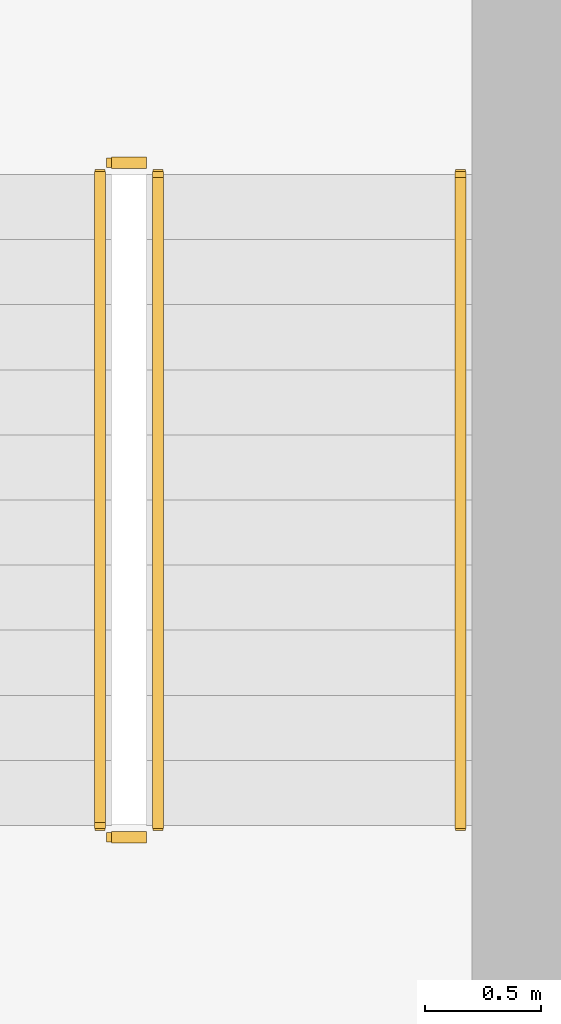
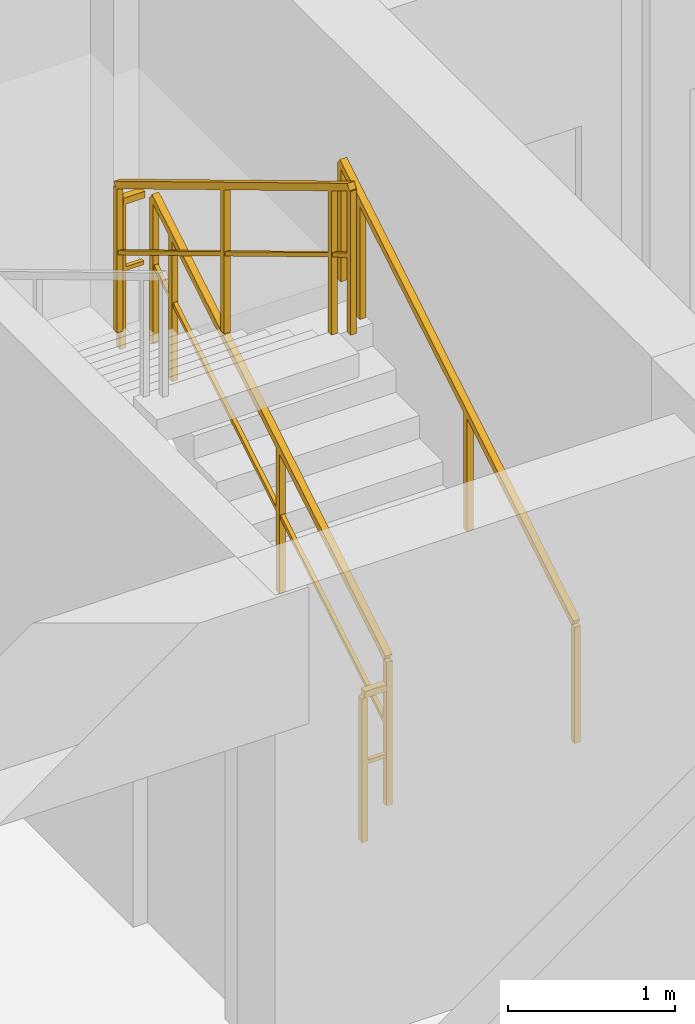
# One storey, part 12 of 13: 5 railings.
"""IFC4 building model written with IfcOpenShell, lengths in metres."""

from ifc_helpers import new_model, si_unit, direction, frame, origin, origin_2d, place, context, subcontext, project, spatial, rectangle, extrude, material, type_object, element, save


model = new_model("IFC4")

# Units and contexts
model_context = context("Model", 3, precision=1e-05, world=origin(), true_north=direction((0.0, 1.0)))
body_context = subcontext(model_context, "Body", "Model", "MODEL_VIEW")
ifc_project = project(units=[si_unit("LENGTHUNIT", "METRE"), si_unit("AREAUNIT", "SQUARE_METRE"), si_unit("VOLUMEUNIT", "CUBIC_METRE"), si_unit("PLANEANGLEUNIT", "RADIAN"), si_unit("MASSUNIT", "GRAM", prefix="KILO")], contexts=[model_context])

# Site, building, storey
site_placement = place(None, origin())
site = spatial("IfcSite", under=ifc_project, at=site_placement, CompositionType="ELEMENT")
building_placement = place(site_placement, origin())
building = spatial("IfcBuilding", under=site, at=building_placement, Name="Kaliganga Portal Commons", CompositionType="ELEMENT")
storey_placement = place(building_placement, frame((0.0, 0.0, 162.39990234375)))
storey = spatial("IfcBuildingStorey", under=building, at=storey_placement, Name="L41", CompositionType="ELEMENT", Elevation=162.39990234375)

# Railings
ifc_material_1 = material(Name="Galvanized Painted Steel Balustrade", Category="steel")
railing_type_1 = type_object("IfcRailingType", Name="RLG-STAIR-GRD", PredefinedType="GUARDRAIL", material=ifc_material_1)
railing_1_placement = place(storey_placement, frame((48.699951171875, 8.699951171875, 0.168212890625)))
element("IfcRailing", 1, at=railing_1_placement, inside=storey, type_object=railing_type_1, Name="L41 ST-B2 stair guard 1", PredefinedType="GUARDRAIL", context=body_context, shape_type="SweptSolid", body=[
    extrude(rectangle(XDim=0.048095703125, YDim=0.048095703125, at=origin_2d()), frame((0.0, 0.0, 1.072021484375), z_axis=(0.0, 0.857242210791, 0.514913383045), x_axis=(-1.0, 0.0, 0.0)), (0.0, 0.0, 1.0), 3.266357421875),
    extrude(rectangle(XDim=0.028076171875, YDim=0.028076171875, at=origin_2d()), frame((0.0, 0.0, 0.572021484375), z_axis=(0.0, 0.857242210791, 0.514913383045), x_axis=(-1.0, 0.0, 0.0)), (0.0, 0.0, 1.0), 3.266357421875),
    extrude(rectangle(XDim=0.0419921875, YDim=0.0419921875, at=origin_2d()), origin(), (0.0, 0.0, 1.0), 1.052001953125),
    extrude(rectangle(XDim=0.0419921875, YDim=0.0419921875, at=origin_2d()), frame((0.0, 1.285888671875, 0.7724609375)), (0.0, 0.0, 1.0), 1.052001953125),
    extrude(rectangle(XDim=0.0419921875, YDim=0.0419921875, at=origin_2d()), frame((0.0, 2.57177734375, 1.544677734375)), (0.0, 0.0, 1.0), 1.052001953125),
    extrude(rectangle(XDim=0.0419921875, YDim=0.0419921875, at=origin_2d()), frame((0.0, 2.800048828125, 1.681884765625)), (0.0, 0.0, 1.0), 1.052001953125),
])
railing_2_placement = place(storey_placement, frame((48.64990234375, 11.550048828125, 1.85009765625)))
element("IfcRailing", 2, at=railing_2_placement, inside=storey, type_object=railing_type_1, Name="L41 ST-B2 stair guard 2", PredefinedType="GUARDRAIL", context=body_context, shape_type="SweptSolid", body=[
    extrude(rectangle(XDim=0.048095703125, YDim=0.048095703125, at=origin_2d()), frame((0.0, 0.0, 1.076171875), z_axis=(-1.0, 0.0, 0.0), x_axis=(0.0, -1.0, 0.0)), (0.0, 0.0, 1.0), 0.14990234375),
    extrude(rectangle(XDim=0.028076171875, YDim=0.028076171875, at=origin_2d()), frame((0.0, 0.0, 0.572021484375), z_axis=(-1.0, 0.0, 0.0), x_axis=(0.0, -1.0, 0.0)), (0.0, 0.0, 1.0), 0.14990234375),
    extrude(rectangle(XDim=0.0419921875, YDim=0.0419921875, at=origin_2d()), frame((-0.14990234375, 0.0, 0.0)), (0.0, 0.0, 1.0), 1.052001953125),
])
railing_3_placement = place(storey_placement, frame((48.449951171875, 11.5, 2.018310546875)))
element("IfcRailing", 3, at=railing_3_placement, inside=storey, type_object=railing_type_1, Name="L41 ST-B2 stair guard 3", PredefinedType="GUARDRAIL", context=body_context, shape_type="SweptSolid", body=[
    extrude(rectangle(XDim=0.048095703125, YDim=0.048095703125, at=origin_2d()), frame((0.0, 0.0, 1.072021484375), z_axis=(0.0, -0.857242210791, 0.514913383045), x_axis=(1.0, 0.0, 0.0)), (0.0, 0.0, 1.0), 3.266357421875),
    extrude(rectangle(XDim=0.028076171875, YDim=0.028076171875, at=origin_2d()), frame((0.0, 0.0, 0.572021484375), z_axis=(0.0, -0.857242210791, 0.514913383045), x_axis=(1.0, 0.0, 0.0)), (0.0, 0.0, 1.0), 3.266357421875),
    extrude(rectangle(XDim=0.0419921875, YDim=0.0419921875, at=origin_2d()), origin(), (0.0, 0.0, 1.0), 1.052001953125),
    extrude(rectangle(XDim=0.0419921875, YDim=0.0419921875, at=origin_2d()), frame((0.0, -1.285888671875, 0.7724609375)), (0.0, 0.0, 1.0), 1.052001953125),
    extrude(rectangle(XDim=0.0419921875, YDim=0.0419921875, at=origin_2d()), frame((0.0, -2.57177734375, 1.544677734375)), (0.0, 0.0, 1.0), 1.052001953125),
    extrude(rectangle(XDim=0.0419921875, YDim=0.0419921875, at=origin_2d()), frame((0.0, -2.800048828125, 1.681884765625)), (0.0, 0.0, 1.0), 1.052001953125),
])
railing_4_placement = place(storey_placement, frame((48.64990234375, 8.64990234375, 0.0)))
element("IfcRailing", 4, at=railing_4_placement, inside=storey, type_object=railing_type_1, Name="L41 ST-B2 stair guard 4", PredefinedType="GUARDRAIL", context=body_context, shape_type="SweptSolid", body=[
    extrude(rectangle(XDim=0.048095703125, YDim=0.048095703125, at=origin_2d()), frame((0.0, 0.0, 1.076171875), z_axis=(-1.0, 0.0, 0.0), x_axis=(0.0, -1.0, 0.0)), (0.0, 0.0, 1.0), 0.14990234375),
    extrude(rectangle(XDim=0.028076171875, YDim=0.028076171875, at=origin_2d()), frame((0.0, 0.0, 0.572021484375), z_axis=(-1.0, 0.0, 0.0), x_axis=(0.0, -1.0, 0.0)), (0.0, 0.0, 1.0), 0.14990234375),
    extrude(rectangle(XDim=0.0419921875, YDim=0.0419921875, at=origin_2d()), frame((-0.14990234375, 0.0, 0.0)), (0.0, 0.0, 1.0), 1.052001953125),
])
ifc_material_2 = material(Name="Brushed Stainless Steel 316", Category="steel")
railing_type_2 = type_object("IfcRailingType", Name="RLG-STAIR-HR", PredefinedType="HANDRAIL", material=ifc_material_2)
railing_5_placement = place(storey_placement, frame((50.0, 8.699951171875, 0.168212890625)))
element("IfcRailing", 5, at=railing_5_placement, inside=storey, type_object=railing_type_2, Name="L41 ST-B2 stair handrail 1", PredefinedType="HANDRAIL", context=body_context, shape_type="SweptSolid", body=[
    extrude(rectangle(XDim=0.048095703125, YDim=0.048095703125, at=origin_2d()), frame((0.0, 0.0, 0.871826171875), z_axis=(0.0, 0.857242210791, 0.514913383045), x_axis=(-1.0, 0.0, 0.0)), (0.0, 0.0, 1.0), 3.266357421875),
    extrude(rectangle(XDim=0.0419921875, YDim=0.0419921875, at=origin_2d()), origin(), (0.0, 0.0, 1.0), 0.851806640625),
    extrude(rectangle(XDim=0.0419921875, YDim=0.0419921875, at=origin_2d()), frame((0.0, 1.285888671875, 0.7724609375)), (0.0, 0.0, 1.0), 0.851806640625),
    extrude(rectangle(XDim=0.0419921875, YDim=0.0419921875, at=origin_2d()), frame((0.0, 2.57177734375, 1.544677734375)), (0.0, 0.0, 1.0), 0.851806640625),
    extrude(rectangle(XDim=0.0419921875, YDim=0.0419921875, at=origin_2d()), frame((0.0, 2.800048828125, 1.681884765625)), (0.0, 0.0, 1.0), 0.851806640625),
])

save(model, "model.ifc")
